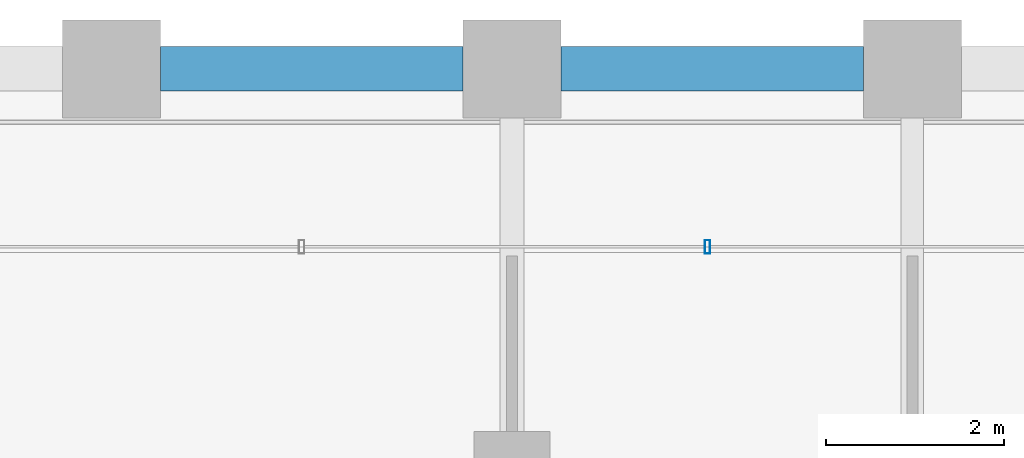
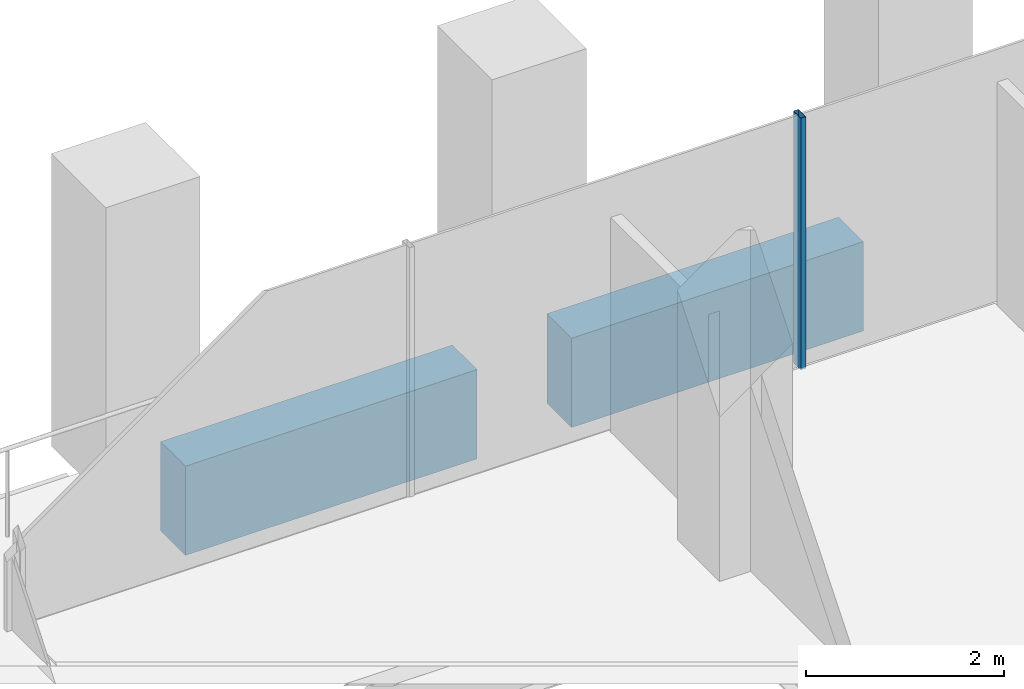
# One storey, part 27 of 56: 2 beams, 1 member, 1 element without a shape of its own.
"""IFC4 building model written with IfcOpenShell, lengths in metres."""

from ifc_helpers import new_model, si_unit, direction, frame, origin, origin_2d, place, context, subcontext, project, spatial, rectangle, hollow_rectangle, extrude, material, material_profile, profile_set, type_object, element, aggregate, save


model = new_model("IFC4")

# Units and contexts
model_context = context("Model", 3, precision=1e-05, world=origin(), true_north=direction((0.0, 1.0)))
body_context = subcontext(model_context, "Body", "Model", "MODEL_VIEW")
ifc_project = project(units=[si_unit("LENGTHUNIT", "METRE"), si_unit("AREAUNIT", "SQUARE_METRE"), si_unit("VOLUMEUNIT", "CUBIC_METRE"), si_unit("PLANEANGLEUNIT", "RADIAN"), si_unit("MASSUNIT", "GRAM", prefix="KILO")], contexts=[model_context])

# Site, building, storey
site_placement = place(None, origin())
site = spatial("IfcSite", under=ifc_project, at=site_placement, CompositionType="ELEMENT")
building_placement = place(site_placement, origin())
building = spatial("IfcBuilding", under=site, at=building_placement, Name="Altepetl Exchange Towers", CompositionType="ELEMENT")
storey_placement = place(building_placement, frame((0.0, 0.0, 51.0)))
storey = spatial("IfcBuildingStorey", under=building, at=storey_placement, Name="L11", CompositionType="ELEMENT", Elevation=51.0)

# Curtain wall, member
ifc_material_1 = material(Name="Aluminium 6063-T6 glazing", Category="aluminium")
curtain_wall_type = type_object("IfcCurtainWallType", Name="Loggia glazing system", PredefinedType="NOTDEFINED", material=ifc_material_1)
curtain_wall_placement = place(storey_placement, origin())
curtain_wall = element("IfcCurtainWall", 1, at=curtain_wall_placement, inside=storey, type_object=curtain_wall_type, Name="CW1 run", PredefinedType="NOTDEFINED")
ifc_material_2 = material(Name="Aluminium 6063-T6", Category="aluminium")
ifc_material_profile_1 = material_profile(ifc_material_2, hollow_rectangle(XDim=0.06005859375, YDim=0.14990234375, WallThickness=0.0029296875, at=origin_2d()), Name="Mullion 60x150 aluminium")
ifc_profile_set_1 = profile_set([ifc_material_profile_1], Name="Aluminium 6063-T6")
member_type = type_object("IfcMemberType", Name="Mullion 60x150 aluminium", PredefinedType="MULLION", material=ifc_profile_set_1)
member_placement = place(storey_placement, frame((42.696533203125, 70.0, 0.0), z_axis=(0.0, 0.0, 1.0), x_axis=(-1.0, 0.0, 0.0)))
member = element("IfcMember", 2, at=member_placement, type_object=member_type, Name="MU1 mullion", PredefinedType="MULLION", context=body_context, shape_type="SweptSolid", body=[
    extrude(hollow_rectangle(XDim=0.06005859375, YDim=0.14990234375, WallThickness=0.0029296875, at=origin_2d()), origin(), (0.0, 0.0, 1.0), 3.10009765625),
])
aggregate(curtain_wall, [member])

# Beams
ifc_material_3 = material(Name="Concrete C50/60 precast with cantera rosa facing", Category="concrete")
ifc_material_profile_2 = material_profile(ifc_material_3, rectangle(XDim=0.5, YDim=1.10009765625, at=origin_2d()), Name="500 x 1100")
ifc_profile_set_2 = profile_set([ifc_material_profile_2], Name="Concrete C50/60 precast with cantera rosa facing")
beam_type_1 = type_object("IfcBeamType", Name="Spandrel beam 500x1100 cantera rosa", PredefinedType="SPANDREL", material=ifc_profile_set_2)
beam_1_placement = place(storey_placement, frame((44.449951171875, 72.0, -0.699951171875), z_axis=(-1.0, 0.0, 0.0), x_axis=(0.0, -1.0, 0.0)))
element("IfcBeam", 3, at=beam_1_placement, inside=storey, type_object=beam_type_1, Name="sp:A:L11:029", PredefinedType="SPANDREL", context=body_context, shape_type="SweptSolid", body=[
    extrude(rectangle(XDim=0.5, YDim=1.10009765625, at=origin_2d()), origin(), (0.0, 0.0, 1.0), 3.39990234375),
])
ifc_material_4 = material(Name="Concrete C50/60 precast with tezontle facing", Category="concrete")
ifc_material_profile_3 = material_profile(ifc_material_4, rectangle(XDim=0.5, YDim=1.10009765625, at=origin_2d()), Name="500 x 1100")
ifc_profile_set_3 = profile_set([ifc_material_profile_3], Name="Concrete C50/60 precast with tezontle facing")
beam_type_2 = type_object("IfcBeamType", Name="Spandrel beam 500x1100 tezontle", PredefinedType="SPANDREL", material=ifc_profile_set_3)
beam_2_placement = place(storey_placement, frame((39.949951171875, 72.0, -0.699951171875), z_axis=(-1.0, 0.0, 0.0), x_axis=(0.0, -1.0, 0.0)))
element("IfcBeam", 4, at=beam_2_placement, inside=storey, type_object=beam_type_2, Name="sp:A:L11:030", PredefinedType="SPANDREL", context=body_context, shape_type="SweptSolid", body=[
    extrude(rectangle(XDim=0.5, YDim=1.10009765625, at=origin_2d()), origin(), (0.0, 0.0, 1.0), 3.39990234375),
])

save(model, "model.ifc")
